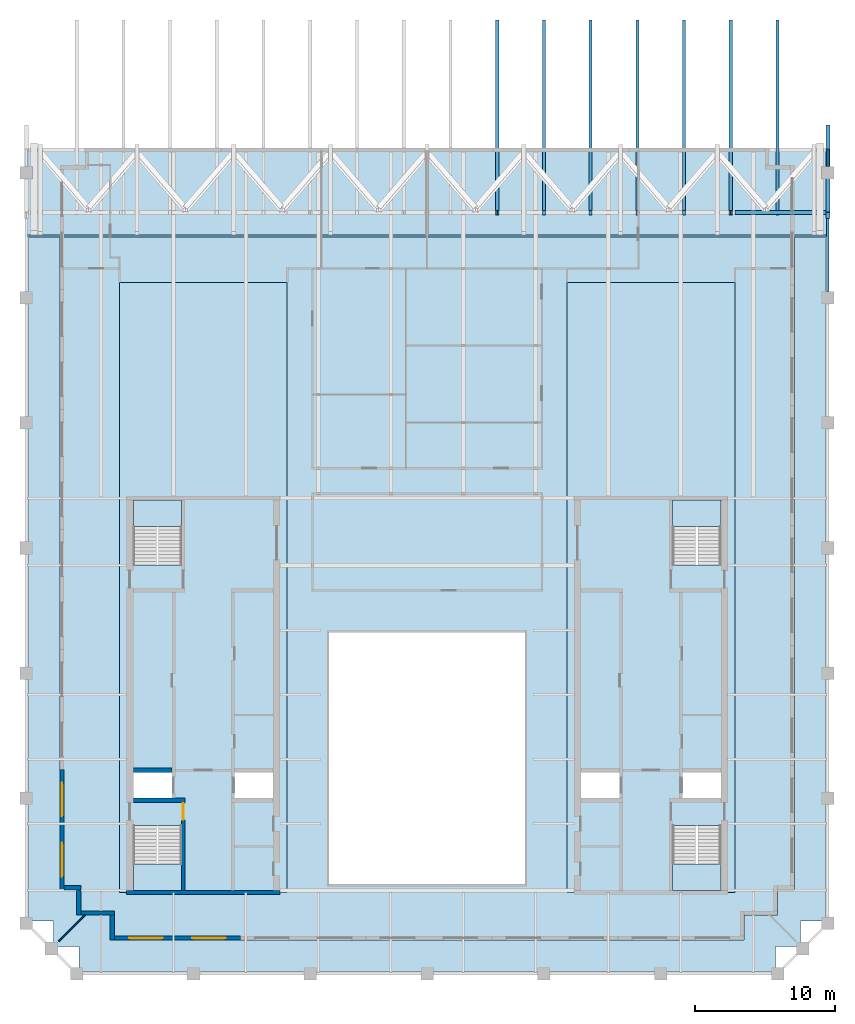
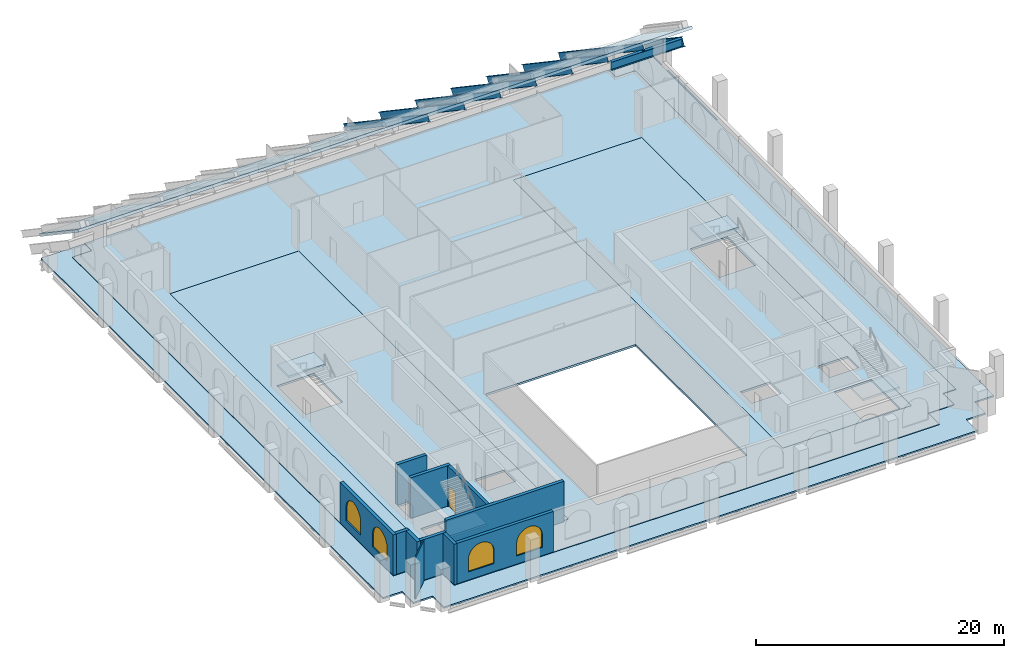
# One storey, part 2 of 9: 11 walls, 9 slabs, 7 members, 5 beams, 4 windows, 1 door, 5 openings, 4 elements without a shape of their own.
"""IFC4 building model written with IfcOpenShell, lengths in metres."""

from ifc_helpers import new_model, si_unit, direction, frame, frame_2d, origin, origin_2d, place, context, subcontext, project, spatial, polyline, rectangle, i_section, outline, extrude, material, layer, layer_set, material_profile, profile_set, type_object, element, fill, aggregate, save


model = new_model("IFC4")

# Units and contexts
model_context = context("Model", 3, precision=1e-05, world=origin(), true_north=direction((0.0, 1.0)))
body_context = subcontext(model_context, "Body", "Model", "MODEL_VIEW")
ifc_project = project(units=[si_unit("LENGTHUNIT", "METRE"), si_unit("AREAUNIT", "SQUARE_METRE"), si_unit("VOLUMEUNIT", "CUBIC_METRE"), si_unit("PLANEANGLEUNIT", "RADIAN"), si_unit("MASSUNIT", "GRAM", prefix="KILO")], contexts=[model_context])

# Site, building, storey
site_placement = place(None, origin())
site = spatial("IfcSite", under=ifc_project, at=site_placement, CompositionType="ELEMENT")
building_placement = place(site_placement, origin())
building = spatial("IfcBuilding", under=site, at=building_placement, Name="Ogive Exchange Tower", CompositionType="ELEMENT")
storey_placement = place(building_placement, frame((0.0, 0.0, 373.199951171875)))
storey = spatial("IfcBuildingStorey", under=building, at=storey_placement, Name="C02", CompositionType="ELEMENT", Elevation=373.199951171875)

# Beam
ifc_material_1 = material(Name="Steel ASTM A992 Gr50", Category="steel")
ifc_material_profile_1 = material_profile(ifc_material_1, i_section(OverallWidth=0.2919921875, OverallDepth=0.8359375, WebThickness=0.013916015625, FlangeThickness=0.018798828125, at=origin_2d()), Name="W840x176")
ifc_profile_set_1 = profile_set([ifc_material_profile_1], Name="Steel ASTM A992 Gr50")
beam_type_1 = type_object("IfcBeamType", Name="Crown purlin W840x176", PredefinedType="BEAM", material=ifc_profile_set_1)
beam_1_placement = place(storey_placement, frame((22.0, 46.0, 4.06396484375), z_axis=(1.0, 0.0, 0.0), x_axis=(0.0, 1.0, 0.0)))
element("IfcBeam", 1, at=beam_1_placement, inside=storey, type_object=beam_type_1, Name="Crown purlin", PredefinedType="BEAM", context=body_context, shape_type="SweptSolid", body=[
    extrude(i_section(OverallWidth=0.2919921875, OverallDepth=0.8359375, WebThickness=0.013916015625, FlangeThickness=0.018798828125, at=origin_2d()), origin(), (0.0, 0.0, 1.0), 6.64990234375),
])

# Members
ifc_material_profile_2 = material_profile(ifc_material_1, i_section(OverallWidth=0.22900390625, OverallDepth=0.612060546875, WebThickness=0.011962890625, FlangeThickness=0.01953125, at=origin_2d()), Name="W610x125")
ifc_profile_set_2 = profile_set([ifc_material_profile_2], Name="Steel ASTM A992 Gr50")
member_type = type_object("IfcMemberType", Name="Crown rafter W610x125", PredefinedType="RAFTER", material=ifc_profile_set_2)
for number, where, z_axis, x_axis, name in (
    (2, (5.010009765625, 46.0, 4.850830078125), (0.0, 0.829045654715, -0.559180920989), (-1.0, 0.0, 0.0), "Crown rafter"),
    (3, (8.35009765625, 46.0, 4.850830078125), (0.0, 0.829045654715, -0.559180920989), (-1.0, 0.0, 0.0), "Crown rafter"),
    (4, (11.68994140625, 46.0, 4.850830078125), (0.0, 0.829045654715, -0.559180920989), (-1.0, 0.0, 0.0), "Crown rafter"),
    (5, (15.030029296875, 46.0, 4.850830078125), (0.0, 0.829045654715, -0.559180920989), (-1.0, 0.0, 0.0), "Crown rafter"),
    (6, (18.3701171875, 46.0, 4.850830078125), (0.0, 0.829045654715, -0.559180920989), (-1.0, 0.0, 0.0), "Crown rafter"),
    (7, (21.7099609375, 46.0, 4.850830078125), (0.0, 0.829045654715, -0.559180920989), (-1.0, 0.0, 0.0), "Crown rafter"),
    (8, (25.050048828125, 46.0, 4.850830078125), (0.0, 0.829045654715, -0.559180920989), (-1.0, 0.0, 0.0), "Crown rafter"),
):
    element("IfcMember", number, at=place(storey_placement, frame(where, z_axis=z_axis, x_axis=x_axis)), inside=storey, type_object=member_type, Name=name, PredefinedType="RAFTER", context=body_context, shape_type="SweptSolid", body=[
        extrude(i_section(OverallWidth=0.22900390625, OverallDepth=0.612060546875, WebThickness=0.011962890625, FlangeThickness=0.01953125, at=origin_2d()), origin(), (0.0, 0.0, 1.0), 16.404541015625),
    ])

# Beams
ifc_material_profile_3 = material_profile(ifc_material_1, i_section(OverallWidth=0.2919921875, OverallDepth=0.8359375, WebThickness=0.013916015625, FlangeThickness=0.018798828125, at=origin_2d()), Name="W840x176")
ifc_profile_set_3 = profile_set([ifc_material_profile_3], Name="Steel ASTM A992 Gr50")
beam_type_2 = type_object("IfcBeamType", Name="Crown raking ring beam W840x176", PredefinedType="BEAM", material=ifc_profile_set_3)
beam_2_placement = place(storey_placement, frame((28.64990234375, 45.798583984375, 4.199951171875), z_axis=(0.0, 0.829045018091, -0.559181864852), x_axis=(-1.0, 0.0, 0.0)))
element("IfcBeam", 9, at=beam_2_placement, inside=storey, type_object=beam_type_2, Name="Crown ring beam 14", PredefinedType="BEAM", context=body_context, shape_type="SweptSolid", body=[
    extrude(i_section(OverallWidth=0.2919921875, OverallDepth=0.8359375, WebThickness=0.013916015625, FlangeThickness=0.018798828125, at=origin_2d()), origin(), (0.0, 0.0, 1.0), 3.689208984375),
])
beam_3_placement = place(storey_placement, frame((28.64990234375, 48.857177734375, 2.136962890625), z_axis=(0.0, 0.829040446051, -0.559188643314), x_axis=(-1.0, 0.0, 0.0)))
element("IfcBeam", 10, at=beam_3_placement, inside=storey, type_object=beam_type_2, Name="Crown ring beam 15", PredefinedType="BEAM", context=body_context, shape_type="SweptSolid", body=[
    extrude(i_section(OverallWidth=0.2919921875, OverallDepth=0.8359375, WebThickness=0.013916015625, FlangeThickness=0.018798828125, at=origin_2d()), origin(), (0.0, 0.0, 1.0), 3.821533203125),
])
ifc_material_profile_4 = material_profile(ifc_material_1, i_section(OverallWidth=0.1650390625, OverallDepth=0.31005859375, WebThickness=0.005859375, FlangeThickness=0.009765625, at=origin_2d()), Name="W310x38.7")
ifc_profile_set_4 = profile_set([ifc_material_profile_4], Name="Steel ASTM A992 Gr50")
beam_type_3 = type_object("IfcBeamType", Name="Girder W310x38.7", PredefinedType="BEAM", material=ifc_profile_set_4)
beam_4_placement = place(storey_placement, frame((28.64990234375, 49.30712890625, -0.35498046875), z_axis=(0.0, 1.0, 0.0), x_axis=(-1.0, 0.0, 0.0)))
element("IfcBeam", 11, at=beam_4_placement, inside=storey, type_object=beam_type_3, Name="Girder", PredefinedType="BEAM", context=body_context, shape_type="SweptSolid", body=[
    extrude(i_section(OverallWidth=0.1650390625, OverallDepth=0.31005859375, WebThickness=0.005859375, FlangeThickness=0.009765625, at=origin_2d()), origin(), (0.0, 0.0, 1.0), 1.225830078125),
])
ifc_material_profile_5 = material_profile(ifc_material_1, i_section(OverallWidth=0.19091796875, OverallDepth=0.45703125, WebThickness=0.009033203125, FlangeThickness=0.014404296875, at=origin_2d()), Name="W460x74")
ifc_profile_set_5 = profile_set([ifc_material_profile_5], Name="Steel ASTM A992 Gr50")
beam_type_4 = type_object("IfcBeamType", Name="Girder W460x74", PredefinedType="BEAM", material=ifc_profile_set_5)
beam_5_placement = place(storey_placement, frame((28.64990234375, 40.3642578125, -0.428466796875), z_axis=(0.0, 1.0, 0.0), x_axis=(-1.0, 0.0, 0.0)))
element("IfcBeam", 12, at=beam_5_placement, inside=storey, type_object=beam_type_4, Name="Girder", PredefinedType="BEAM", context=body_context, shape_type="SweptSolid", body=[
    extrude(i_section(OverallWidth=0.19091796875, OverallDepth=0.45703125, WebThickness=0.009033203125, FlangeThickness=0.014404296875, at=origin_2d()), origin(), (0.0, 0.0, 1.0), 8.042724609375),
])

# Slabs
ifc_material_2 = material(Name="Concrete C50/60", Category="concrete")
ifc_layer_1 = layer(ifc_material_2, 0.199951171875)
ifc_layer_set_1 = layer_set([ifc_layer_1], Name="Composite floor slab 200")
slab_type_1 = type_object("IfcSlabType", Name="Composite floor slab 200", PredefinedType="FLOOR", material=ifc_layer_set_1)
slab_1_placement = place(storey_placement, frame((0.0, 0.0, -0.199951171875)))
element("IfcSlab", 13, at=slab_1_placement, inside=storey, type_object=slab_type_1, Name="Composite floor slab", PredefinedType="FLOOR", context=body_context, shape_type="SweptSolid", body=[
    extrude(outline(polyline([(-24.449951171875, -2.39990234375), (-24.449951171875, -2.39990234375), (-26.25, -2.39990234375), (-26.25, 49.39990234375), (-24.449951171875, 49.39990234375), (-24.449951171875, 50.6279296875), (24.449951171875, 50.6279296875), (24.449951171875, 49.39990234375), (26.25, 49.39990234375), (26.25, -2.39990234375), (24.449951171875, -2.39990234375), (24.449951171875, -2.39990234375), (25.050048828125, -2.39990234375), (25.050048828125, -4.199951171875), (24.449951171875, -4.199951171875), (24.449951171875, -4.199951171875), (22.64990234375, -4.199951171875), (22.64990234375, -6.0), (-22.64990234375, -6.0), (-22.64990234375, -4.199951171875), (-24.449951171875, -4.199951171875), (-24.449951171875, -4.199951171875), (-25.050048828125, -4.199951171875), (-25.050048828125, -2.39990234375), (-24.449951171875, -2.39990234375)]), holes=[polyline([(7.0, -2.0), (7.0, 16.0), (-7.0, 16.0), (-7.0, -2.0), (7.0, -2.0)]), polyline([(-22.0, -2.60009765625), (-10.0, -2.60009765625), (-10.0, 41.0), (-22.0, 41.0), (-22.0, -2.60009765625)]), polyline([(10.0, -2.60009765625), (22.0, -2.60009765625), (22.0, 41.0), (10.0, 41.0), (10.0, -2.60009765625)])]), origin(), (0.0, 0.0, 1.0), 0.199951171875),
])
ifc_material_3 = material(Name="Concrete C70/85", Category="concrete")
ifc_layer_2 = layer(ifc_material_3, 0.199951171875)
ifc_layer_set_2 = layer_set([ifc_layer_2], Name="Core floor slab 200")
slab_type_2 = type_object("IfcSlabType", Name="Core floor slab 200", PredefinedType="FLOOR", material=ifc_layer_set_2)
slab_2_placement = place(storey_placement, frame((0.0, 0.0, -0.199951171875)))
element("IfcSlab", 14, at=slab_2_placement, inside=storey, type_object=slab_type_2, Name="Core floor slab", PredefinedType="FLOOR", context=body_context, shape_type="SweptSolid", body=[
    extrude(outline(polyline([(-22.0, 41.0), (-10.0, 41.0), (-10.0, -2.60009765625), (-22.0, -2.60009765625), (-22.0, 41.0)]), holes=[polyline([(-17.550048828125, 2.196044921875), (-21.0, 2.196044921875), (-21.0, -2.449951171875), (-17.550048828125, -2.449951171875), (-17.550048828125, 2.196044921875)]), polyline([(-21.0, 5.992919921875), (-21.0, 4.14990234375), (-18.25, 4.14990234375), (-18.25, 5.992919921875), (-21.0, 5.992919921875)]), polyline([(-13.75, 5.992919921875), (-13.75, 4.14990234375), (-11.0, 4.14990234375), (-11.0, 5.992919921875), (-13.75, 5.992919921875)]), polyline([(-21.0, 20.803955078125), (-17.550048828125, 20.803955078125), (-17.550048828125, 25.449951171875), (-21.0, 25.449951171875), (-21.0, 20.803955078125)])]), origin(), (0.0, 0.0, 1.0), 0.199951171875),
])
slab_3_placement = place(storey_placement, frame((0.0, 0.0, -0.199951171875)))
element("IfcSlab", 15, at=slab_3_placement, inside=storey, type_object=slab_type_2, Name="Core floor slab", PredefinedType="FLOOR", context=body_context, shape_type="SweptSolid", body=[
    extrude(outline(polyline([(10.0, 41.0), (22.0, 41.0), (22.0, -2.60009765625), (10.0, -2.60009765625), (10.0, 41.0)]), holes=[polyline([(21.0, 2.196044921875), (17.550048828125, 2.196044921875), (17.550048828125, -2.449951171875), (21.0, -2.449951171875), (21.0, 2.196044921875)]), polyline([(11.0, 5.992919921875), (11.0, 4.14990234375), (13.75, 4.14990234375), (13.75, 5.992919921875), (11.0, 5.992919921875)]), polyline([(18.25, 5.992919921875), (18.25, 4.14990234375), (21.0, 4.14990234375), (21.0, 5.992919921875), (18.25, 5.992919921875)]), polyline([(17.550048828125, 20.803955078125), (21.0, 20.803955078125), (21.0, 25.449951171875), (17.550048828125, 25.449951171875), (17.550048828125, 20.803955078125)])]), origin(), (0.0, 0.0, 1.0), 0.199951171875),
])
ifc_material_4 = material(Name="Precast concrete C40/50", Category="concrete")
ifc_layer_3 = layer(ifc_material_4, 0.25)
ifc_layer_set_3 = layer_set([ifc_layer_3], Name="Crown roof plane 250")
slab_type_3 = type_object("IfcSlabType", Name="Crown roof plane 250", PredefinedType="ROOF", material=ifc_layer_set_3)
slab_4_placement = place(storey_placement, frame((-28.64990234375, 44.401123046875, 6.60009765625), z_axis=(0.0, 0.559185313762, 0.829042691827), x_axis=(0.0, 0.829042691827, -0.559185313762)))
element("IfcSlab", 16, at=slab_4_placement, inside=storey, type_object=slab_type_3, Name="Crown roof plane", PredefinedType="ROOF", context=body_context, shape_type="SweptSolid", body=[
    extrude(outline(polyline([(0.0, 0.0), (7.5108395526642555, 0.0), (7.5108395526642555, -57.2998046875), (0.0, -57.2998046875), (0.0, 0.0)])), origin(), (0.0, 0.0, -1.0), 0.25),
])
ifc_layer_4 = layer(ifc_material_2, 0.14990234375)
ifc_layer_set_4 = layer_set([ifc_layer_4], Name="Loggia deck 150")
slab_type_4 = type_object("IfcSlabType", Name="Loggia deck 150", PredefinedType="FLOOR", material=ifc_layer_set_4)
slab_5_placement = place(storey_placement, frame((0.0, 0.0, -0.199951171875)))
element("IfcSlab", 17, at=slab_5_placement, inside=storey, type_object=slab_type_4, Name="Loggia deck", PredefinedType="FLOOR", context=body_context, shape_type="SweptSolid", body=[
    extrude(outline(polyline([(-26.695068359375, -4.64501953125), (-28.4951171875, -4.64501953125), (-28.4951171875, 50.6279296875), (-24.449951171875, 50.6279296875), (-24.449951171875, 49.39990234375), (-26.25, 49.39990234375), (-26.25, -2.39990234375), (-24.449951171875, -2.39990234375), (-24.449951171875, -2.39990234375), (-25.050048828125, -2.39990234375), (-25.050048828125, -4.199951171875), (-24.449951171875, -4.199951171875), (-24.449951171875, -4.199951171875), (-22.64990234375, -4.199951171875), (-22.64990234375, -6.0), (22.64990234375, -6.0), (22.64990234375, -4.199951171875), (24.449951171875, -4.199951171875), (24.449951171875, -4.199951171875), (25.050048828125, -4.199951171875), (25.050048828125, -2.39990234375), (24.449951171875, -2.39990234375), (24.449951171875, -2.39990234375), (26.25, -2.39990234375), (26.25, 49.39990234375), (24.449951171875, 49.39990234375), (24.449951171875, 50.6279296875), (28.4951171875, 50.6279296875), (28.4951171875, -4.64501953125), (26.695068359375, -4.64501953125), (26.695068359375, -6.445068359375), (24.89501953125, -6.445068359375), (24.89501953125, -8.2451171875), (-24.89501953125, -8.2451171875), (-24.89501953125, -6.445068359375), (-26.695068359375, -6.445068359375), (-26.695068359375, -4.64501953125)])), origin(), (0.0, 0.0, 1.0), 0.14990234375),
])

# Stair, slab
ifc_material_5 = material(Name="Concrete C40/50", Category="concrete")
stair_type = type_object("IfcStairType", Name="Exit stair 1650 wide", PredefinedType="HALF_TURN_STAIR", material=ifc_material_5)
stair_1_placement = place(storey_placement, origin())
stair_1 = element("IfcStair", 18, at=stair_1_placement, inside=storey, type_object=stair_type, Name="C02 exit stair ST1", PredefinedType="HALF_TURN_STAIR")
ifc_layer_5 = layer(ifc_material_5, 0.199951171875)
ifc_layer_set_5 = layer_set([ifc_layer_5], Name="Stair landing 200 slab")
slab_type_5 = type_object("IfcSlabType", Name="Stair landing 200 slab", PredefinedType="LANDING", material=ifc_layer_set_5)
slab_6_placement = place(storey_placement, frame((0.0, 0.0, 1.900146484375)))
slab_6 = element("IfcSlab", 19, at=slab_6_placement, type_object=slab_type_5, Name="ST1 landing 1", PredefinedType="LANDING", context=body_context, shape_type="SweptSolid", body=[
    extrude(outline(polyline([(-21.0, -0.550048828125), (-21.0, -2.449951171875), (-17.550048828125, -2.449951171875), (-17.550048828125, -0.550048828125), (-21.0, -0.550048828125)])), origin(), (0.0, 0.0, 1.0), 0.199951171875),
])
aggregate(stair_1, [slab_6])

stair_2_placement = place(storey_placement, origin())
stair_2 = element("IfcStair", 20, at=stair_2_placement, inside=storey, type_object=stair_type, Name="C02 exit stair ST2", PredefinedType="HALF_TURN_STAIR")
slab_7_placement = place(storey_placement, frame((0.0, 0.0, 1.900146484375)))
slab_7 = element("IfcSlab", 21, at=slab_7_placement, type_object=slab_type_5, Name="ST2 landing 1", PredefinedType="LANDING", context=body_context, shape_type="SweptSolid", body=[
    extrude(outline(polyline([(-17.550048828125, 23.550048828125), (-17.550048828125, 25.449951171875), (-21.0, 25.449951171875), (-21.0, 23.550048828125), (-17.550048828125, 23.550048828125)])), origin(), (0.0, 0.0, 1.0), 0.199951171875),
])
aggregate(stair_2, [slab_7])

stair_3_placement = place(storey_placement, origin())
stair_3 = element("IfcStair", 22, at=stair_3_placement, inside=storey, type_object=stair_type, Name="C02 exit stair ST3", PredefinedType="HALF_TURN_STAIR")
slab_8_placement = place(storey_placement, frame((0.0, 0.0, 1.900146484375)))
slab_8 = element("IfcSlab", 23, at=slab_8_placement, type_object=slab_type_5, Name="ST3 landing 1", PredefinedType="LANDING", context=body_context, shape_type="SweptSolid", body=[
    extrude(outline(polyline([(17.550048828125, -0.550048828125), (17.550048828125, -2.449951171875), (21.0, -2.449951171875), (21.0, -0.550048828125), (17.550048828125, -0.550048828125)])), origin(), (0.0, 0.0, 1.0), 0.199951171875),
])
aggregate(stair_3, [slab_8])

stair_4_placement = place(storey_placement, origin())
stair_4 = element("IfcStair", 24, at=stair_4_placement, inside=storey, type_object=stair_type, Name="C02 exit stair ST4", PredefinedType="HALF_TURN_STAIR")
slab_9_placement = place(storey_placement, frame((0.0, 0.0, 1.900146484375)))
slab_9 = element("IfcSlab", 25, at=slab_9_placement, type_object=slab_type_5, Name="ST4 landing 1", PredefinedType="LANDING", context=body_context, shape_type="SweptSolid", body=[
    extrude(outline(polyline([(21.0, 23.550048828125), (21.0, 25.449951171875), (17.550048828125, 25.449951171875), (17.550048828125, 23.550048828125), (21.0, 23.550048828125)])), origin(), (0.0, 0.0, 1.0), 0.199951171875),
])
aggregate(stair_4, [slab_9])

# Wall
ifc_material_6 = material(Name="Laminated safety glass in steel frame", Category="steel")
ifc_layer_6 = layer(ifc_material_6, 0.10009765625)
ifc_layer_set_6 = layer_set([ifc_layer_6], Name="Loggia end screen 100")
wall_type_1 = type_object("IfcWallType", Name="Loggia end screen 100", PredefinedType="STANDARD", material=ifc_layer_set_6)
wall_1_placement = place(storey_placement, frame((-24.449951171875, -4.199951171875, -0.050048828125), z_axis=(0.0, 0.0, 1.0), x_axis=(-0.707106781187, -0.707106781187, 0.0)))
element("IfcWall", 26, at=wall_1_placement, inside=storey, type_object=wall_type_1, Name="Loggia end screen C4", PredefinedType="STANDARD", context=body_context, shape_type="SweptSolid", body=[
    extrude(rectangle(XDim=2.667236328125, YDim=0.10009765625, at=frame_2d((1.33349609375, 0.0))), origin(), (0.0, 0.0, 1.0), 4.050048828125),
])

# Wall, opening, door
ifc_layer_7 = layer(ifc_material_3, 0.25)
ifc_layer_set_7 = layer_set([ifc_layer_7], Name="RC core wall 250 C70/85")
wall_type_2 = type_object("IfcWallType", Name="RC core wall 250 C70/85", PredefinedType="SHEAR", material=ifc_layer_set_7)
wall_2_placement = place(storey_placement, frame((-17.425048828125, -2.449951171875, 0.0), z_axis=(0.0, 0.0, 1.0), x_axis=(0.0, 1.0, 0.0)))
wall_2 = element("IfcWall", 27, at=wall_2_placement, inside=storey, type_object=wall_type_2, Name="W stair S front wall", PredefinedType="SHEAR", context=body_context, shape_type="SweptSolid", body=[
    extrude(rectangle(XDim=6.300048828125, YDim=0.25, at=frame_2d((3.14990234375, 0.0))), origin(), (0.0, 0.0, 1.0), 4.0),
])
opening_1_placement = place(wall_2_placement, frame((5.050048828125, 0.0, 0.0)))
opening_1 = element("IfcOpeningElement", 28, at=opening_1_placement, cuts=wall_2, Name="Opening C02-C08", PredefinedType="OPENING", context=body_context, shape_type="SweptSolid", body=[
    extrude(rectangle(XDim=1.199951171875, YDim=2.10009765625, at=frame_2d((0.60009765625, 1.050048828125))), frame((0.0, 0.135009765625, 0.0), z_axis=(0.0, -1.0, 0.0), x_axis=(1.0, 0.0, 0.0)), (0.0, 0.0, 1.0), 0.27001953125),
])
ifc_material_7 = material(Name="Steel fire door", Category="steel")
door_type = type_object("IfcDoorType", Name="Stair door FD90 1200 x 2100", OperationType="NOTDEFINED", PredefinedType="DOOR", material=ifc_material_7)
door_placement = place(opening_1_placement, origin())
door = element("IfcDoor", 29, at=door_placement, inside=storey, type_object=door_type, Name="Stair door", ObjectType="CD5", OperationType="SINGLE_SWING_LEFT", OverallHeight=2.10009765625, OverallWidth=1.199951171875, PredefinedType="DOOR", context=body_context, shape_type="SweptSolid", body=[
    extrude(rectangle(XDim=1.199951171875, YDim=2.10009765625, at=frame_2d((0.60009765625, 1.050048828125))), frame((0.0, 0.02490234375, 0.0), z_axis=(0.0, -1.0, 0.0), x_axis=(1.0, 0.0, 0.0)), (0.0, 0.0, 1.0), 0.050048828125),
])
fill(opening_1, door)

# Walls
ifc_layer_8 = layer(ifc_material_3, 0.300048828125)
ifc_layer_set_8 = layer_set([ifc_layer_8], Name="RC core wall 300 C70/85")
wall_type_3 = type_object("IfcWallType", Name="RC core wall 300 C70/85", PredefinedType="SHEAR", material=ifc_layer_set_8)
wall_3_placement = place(storey_placement, frame((-21.5, -2.60009765625, 0.0), z_axis=(0.0, 0.0, 1.0), x_axis=(1.0, 0.0, 0.0)))
element("IfcWall", 30, at=wall_3_placement, inside=storey, type_object=wall_type_3, Name="W south end wall", PredefinedType="SHEAR", context=body_context, shape_type="SweptSolid", body=[
    extrude(rectangle(XDim=11.0, YDim=0.300048828125, at=frame_2d((5.5, 0.0))), origin(), (0.0, 0.0, 1.0), 4.0),
])
wall_4_placement = place(storey_placement, frame((-21.0, 4.0, 0.0), z_axis=(0.0, 0.0, 1.0), x_axis=(1.0, 0.0, 0.0)))
element("IfcWall", 31, at=wall_4_placement, inside=storey, type_object=wall_type_3, Name="W stair S north wall", PredefinedType="SHEAR", context=body_context, shape_type="SweptSolid", body=[
    extrude(rectangle(XDim=3.699951171875, YDim=0.300048828125, at=frame_2d((1.85009765625, 0.0))), origin(), (0.0, 0.0, 1.0), 4.0),
])
wall_5_placement = place(storey_placement, frame((-21.0, 6.142822265625, 0.0), z_axis=(0.0, 0.0, 1.0), x_axis=(1.0, 0.0, 0.0)))
element("IfcWall", 32, at=wall_5_placement, inside=storey, type_object=wall_type_3, Name="W row A divider 1", PredefinedType="SHEAR", context=body_context, shape_type="SweptSolid", body=[
    extrude(rectangle(XDim=2.75, YDim=0.300048828125, at=frame_2d((1.375, 0.0))), origin(), (0.0, 0.0, 1.0), 4.0),
])
ifc_layer_9 = layer(ifc_material_4, 0.300048828125)
ifc_layer_set_9 = layer_set([ifc_layer_9], Name="Zinc-clad crown wall 300")
wall_type_4 = type_object("IfcWallType", Name="Zinc-clad crown wall 300", PredefinedType="STANDARD", material=ifc_layer_set_9)
wall_6_placement = place(storey_placement, frame((-24.89990234375, -2.39990234375, 0.0), z_axis=(0.0, 0.0, 1.0), x_axis=(0.0, -1.0, 0.0)))
element("IfcWall", 33, at=wall_6_placement, inside=storey, type_object=wall_type_4, Name="Crown wall 1", PredefinedType="STANDARD", context=body_context, shape_type="SweptSolid", body=[
    extrude(rectangle(XDim=1.800048828125, YDim=0.300048828125, at=frame_2d((0.89990234375, 0.0))), origin(), (0.0, 0.0, 1.0), 4.0),
])
wall_7_placement = place(storey_placement, frame((-24.75, -4.050048828125, 0.0), z_axis=(0.0, 0.0, 1.0), x_axis=(1.0, 0.0, 0.0)))
element("IfcWall", 34, at=wall_7_placement, inside=storey, type_object=wall_type_4, Name="Crown wall 2", PredefinedType="STANDARD", context=body_context, shape_type="SweptSolid", body=[
    extrude(rectangle(XDim=2.39990234375, YDim=0.300048828125, at=frame_2d((1.199951171875, 0.0))), origin(), (0.0, 0.0, 1.0), 4.0),
])
wall_8_placement = place(storey_placement, frame((-22.5, -4.199951171875, 0.0), z_axis=(0.0, 0.0, 1.0), x_axis=(0.0, -1.0, 0.0)))
element("IfcWall", 35, at=wall_8_placement, inside=storey, type_object=wall_type_4, Name="Crown wall 3", PredefinedType="STANDARD", context=body_context, shape_type="SweptSolid", body=[
    extrude(rectangle(XDim=1.800048828125, YDim=0.300048828125, at=frame_2d((0.89990234375, 0.0))), origin(), (0.0, 0.0, 1.0), 4.0),
])

# Wall, openings, windows
wall_9_placement = place(storey_placement, frame((-22.35009765625, -5.85009765625, 0.0), z_axis=(0.0, 0.0, 1.0), x_axis=(1.0, 0.0, 0.0)))
wall_9 = element("IfcWall", 36, at=wall_9_placement, inside=storey, type_object=wall_type_4, Name="Crown wall 4", PredefinedType="STANDARD", context=body_context, shape_type="SweptSolid", body=[
    extrude(rectangle(XDim=9.0, YDim=0.300048828125, at=frame_2d((4.5, 0.0))), origin(), (0.0, 0.0, 1.0), 4.0),
])
opening_2_placement = place(wall_9_placement, frame((1.050048828125, 0.0, 0.800048828125)))
opening_2 = element("IfcOpeningElement", 37, at=opening_2_placement, cuts=wall_9, Name="Opening WC25", PredefinedType="OPENING", context=body_context, shape_type="SweptSolid", body=[
    extrude(outline(polyline([(0.0, 0.0), (2.39990234375, 0.0), (2.39990234375, 1.25), (2.377197265625, 1.48779296875), (2.3095703125, 1.717041015625), (2.19970703125, 1.928955078125), (2.05126953125, 2.116455078125), (1.8701171875, 2.272216796875), (1.662841796875, 2.390625), (1.4365234375, 2.467529296875), (1.199951171875, 2.5), (0.96337890625, 2.467529296875), (0.737060546875, 2.390625), (0.52978515625, 2.272216796875), (0.3486328125, 2.116455078125), (0.2001953125, 1.928955078125), (0.09033203125, 1.717041015625), (0.022705078125, 1.48779296875), (0.0, 1.25), (0.0, 0.0)])), frame((0.0, 0.159912109375, 0.0), z_axis=(0.0, -1.0, 0.0), x_axis=(1.0, 0.0, 0.0)), (0.0, 0.0, 1.0), 0.320068359375),
])
opening_3_placement = place(wall_9_placement, frame((5.550048828125, 0.0, 0.800048828125)))
opening_3 = element("IfcOpeningElement", 38, at=opening_3_placement, cuts=wall_9, Name="Opening WC25", PredefinedType="OPENING", context=body_context, shape_type="SweptSolid", body=[
    extrude(outline(polyline([(0.0, 0.0), (2.39990234375, 0.0), (2.39990234375, 1.25), (2.377197265625, 1.48779296875), (2.3095703125, 1.717041015625), (2.19970703125, 1.928955078125), (2.05126953125, 2.116455078125), (1.8701171875, 2.272216796875), (1.662841796875, 2.390625), (1.4365234375, 2.467529296875), (1.199951171875, 2.5), (0.96337890625, 2.467529296875), (0.737060546875, 2.390625), (0.52978515625, 2.272216796875), (0.3486328125, 2.116455078125), (0.2001953125, 1.928955078125), (0.09033203125, 1.717041015625), (0.022705078125, 1.48779296875), (0.0, 1.25), (0.0, 0.0)])), frame((0.0, 0.159912109375, 0.0), z_axis=(0.0, -1.0, 0.0), x_axis=(1.0, 0.0, 0.0)), (0.0, 0.0, 1.0), 0.320068359375),
])
ifc_material_8 = material(Name="Clear glass in bronze frame", Category="glass")
window_type = type_object("IfcWindowType", Name="Crown lancet window 2400 x 2500", PartitioningType="DOUBLE_PANEL_VERTICAL", PredefinedType="WINDOW", material=ifc_material_8)
window_1_placement = place(opening_2_placement, origin())
window_1 = element("IfcWindow", 39, at=window_1_placement, inside=storey, type_object=window_type, Name="Crown lancet 4.1", OverallHeight=2.5, OverallWidth=2.39990234375, PartitioningType="DOUBLE_PANEL_VERTICAL", PredefinedType="WINDOW", context=body_context, shape_type="SweptSolid", body=[
    extrude(outline(polyline([(0.0, 0.0), (2.39990234375, 0.0), (2.39990234375, 1.25), (2.377197265625, 1.48779296875), (2.3095703125, 1.717041015625), (2.19970703125, 1.928955078125), (2.05126953125, 2.116455078125), (1.8701171875, 2.272216796875), (1.662841796875, 2.390625), (1.4365234375, 2.467529296875), (1.199951171875, 2.5), (0.96337890625, 2.467529296875), (0.737060546875, 2.390625), (0.52978515625, 2.272216796875), (0.3486328125, 2.116455078125), (0.2001953125, 1.928955078125), (0.09033203125, 1.717041015625), (0.022705078125, 1.48779296875), (0.0, 1.25), (0.0, 0.0)])), frame((0.0, 0.030029296875, 0.0), z_axis=(0.0, -1.0, 0.0), x_axis=(1.0, 0.0, 0.0)), (0.0, 0.0, 1.0), 0.06005859375),
])
fill(opening_2, window_1)
window_2_placement = place(opening_3_placement, origin())
window_2 = element("IfcWindow", 40, at=window_2_placement, inside=storey, type_object=window_type, Name="Crown lancet 4.2", OverallHeight=2.5, OverallWidth=2.39990234375, PartitioningType="DOUBLE_PANEL_VERTICAL", PredefinedType="WINDOW", context=body_context, shape_type="SweptSolid", body=[
    extrude(outline(polyline([(0.0, 0.0), (2.39990234375, 0.0), (2.39990234375, 1.25), (2.377197265625, 1.48779296875), (2.3095703125, 1.717041015625), (2.19970703125, 1.928955078125), (2.05126953125, 2.116455078125), (1.8701171875, 2.272216796875), (1.662841796875, 2.390625), (1.4365234375, 2.467529296875), (1.199951171875, 2.5), (0.96337890625, 2.467529296875), (0.737060546875, 2.390625), (0.52978515625, 2.272216796875), (0.3486328125, 2.116455078125), (0.2001953125, 1.928955078125), (0.09033203125, 1.717041015625), (0.022705078125, 1.48779296875), (0.0, 1.25), (0.0, 0.0)])), frame((0.0, 0.030029296875, 0.0), z_axis=(0.0, -1.0, 0.0), x_axis=(1.0, 0.0, 0.0)), (0.0, 0.0, 1.0), 0.06005859375),
])
fill(opening_3, window_2)

wall_10_placement = place(storey_placement, frame((-26.10009765625, 6.183349609375, 0.0), z_axis=(0.0, 0.0, 1.0), x_axis=(0.0, -1.0, 0.0)))
wall_10 = element("IfcWall", 41, at=wall_10_placement, inside=storey, type_object=wall_type_4, Name="Crown wall 33", PredefinedType="STANDARD", context=body_context, shape_type="SweptSolid", body=[
    extrude(rectangle(XDim=8.583251953125, YDim=0.300048828125, at=frame_2d((4.29150390625, 0.0))), origin(), (0.0, 0.0, 1.0), 4.0),
])
opening_4_placement = place(wall_10_placement, frame((0.94580078125, 0.0, 0.800048828125)))
opening_4 = element("IfcOpeningElement", 42, at=opening_4_placement, cuts=wall_10, Name="Opening WC25", PredefinedType="OPENING", context=body_context, shape_type="SweptSolid", body=[
    extrude(outline(polyline([(0.0, 0.0), (2.39990234375, 0.0), (2.39990234375, 1.25), (2.377197265625, 1.48779296875), (2.3095703125, 1.717041015625), (2.19970703125, 1.928955078125), (2.05126953125, 2.116455078125), (1.8701171875, 2.272216796875), (1.662841796875, 2.390625), (1.4365234375, 2.467529296875), (1.199951171875, 2.5), (0.96337890625, 2.467529296875), (0.737060546875, 2.390625), (0.52978515625, 2.272216796875), (0.3486328125, 2.116455078125), (0.2001953125, 1.928955078125), (0.09033203125, 1.717041015625), (0.022705078125, 1.48779296875), (0.0, 1.25), (0.0, 0.0)])), frame((0.0, 0.159912109375, 0.0), z_axis=(0.0, -1.0, 0.0), x_axis=(1.0, 0.0, 0.0)), (0.0, 0.0, 1.0), 0.320068359375),
])
opening_5_placement = place(wall_10_placement, frame((5.237548828125, 0.0, 0.800048828125)))
opening_5 = element("IfcOpeningElement", 43, at=opening_5_placement, cuts=wall_10, Name="Opening WC25", PredefinedType="OPENING", context=body_context, shape_type="SweptSolid", body=[
    extrude(outline(polyline([(0.0, 0.0), (2.39990234375, 0.0), (2.39990234375, 1.25), (2.377197265625, 1.48779296875), (2.3095703125, 1.717041015625), (2.19970703125, 1.928955078125), (2.05126953125, 2.116455078125), (1.8701171875, 2.272216796875), (1.662841796875, 2.390625), (1.4365234375, 2.467529296875), (1.199951171875, 2.5), (0.96337890625, 2.467529296875), (0.737060546875, 2.390625), (0.52978515625, 2.272216796875), (0.3486328125, 2.116455078125), (0.2001953125, 1.928955078125), (0.09033203125, 1.717041015625), (0.022705078125, 1.48779296875), (0.0, 1.25), (0.0, 0.0)])), frame((0.0, 0.159912109375, 0.0), z_axis=(0.0, -1.0, 0.0), x_axis=(1.0, 0.0, 0.0)), (0.0, 0.0, 1.0), 0.320068359375),
])
window_3_placement = place(opening_4_placement, origin())
window_3 = element("IfcWindow", 44, at=window_3_placement, inside=storey, type_object=window_type, Name="Crown lancet 33.1", OverallHeight=2.5, OverallWidth=2.39990234375, PartitioningType="DOUBLE_PANEL_VERTICAL", PredefinedType="WINDOW", context=body_context, shape_type="SweptSolid", body=[
    extrude(outline(polyline([(0.0, 0.0), (2.39990234375, 0.0), (2.39990234375, 1.25), (2.377197265625, 1.48779296875), (2.3095703125, 1.717041015625), (2.19970703125, 1.928955078125), (2.05126953125, 2.116455078125), (1.8701171875, 2.272216796875), (1.662841796875, 2.390625), (1.4365234375, 2.467529296875), (1.199951171875, 2.5), (0.96337890625, 2.467529296875), (0.737060546875, 2.390625), (0.52978515625, 2.272216796875), (0.3486328125, 2.116455078125), (0.2001953125, 1.928955078125), (0.09033203125, 1.717041015625), (0.022705078125, 1.48779296875), (0.0, 1.25), (0.0, 0.0)])), frame((0.0, 0.030029296875, 0.0), z_axis=(0.0, -1.0, 0.0), x_axis=(1.0, 0.0, 0.0)), (0.0, 0.0, 1.0), 0.06005859375),
])
fill(opening_4, window_3)
window_4_placement = place(opening_5_placement, origin())
window_4 = element("IfcWindow", 45, at=window_4_placement, inside=storey, type_object=window_type, Name="Crown lancet 33.2", OverallHeight=2.5, OverallWidth=2.39990234375, PartitioningType="DOUBLE_PANEL_VERTICAL", PredefinedType="WINDOW", context=body_context, shape_type="SweptSolid", body=[
    extrude(outline(polyline([(0.0, 0.0), (2.39990234375, 0.0), (2.39990234375, 1.25), (2.377197265625, 1.48779296875), (2.3095703125, 1.717041015625), (2.19970703125, 1.928955078125), (2.05126953125, 2.116455078125), (1.8701171875, 2.272216796875), (1.662841796875, 2.390625), (1.4365234375, 2.467529296875), (1.199951171875, 2.5), (0.96337890625, 2.467529296875), (0.737060546875, 2.390625), (0.52978515625, 2.272216796875), (0.3486328125, 2.116455078125), (0.2001953125, 1.928955078125), (0.09033203125, 1.717041015625), (0.022705078125, 1.48779296875), (0.0, 1.25), (0.0, 0.0)])), frame((0.0, 0.030029296875, 0.0), z_axis=(0.0, -1.0, 0.0), x_axis=(1.0, 0.0, 0.0)), (0.0, 0.0, 1.0), 0.06005859375),
])
fill(opening_5, window_4)

# Wall
wall_11_placement = place(storey_placement, frame((-25.949951171875, -2.25, 0.0), z_axis=(0.0, 0.0, 1.0), x_axis=(1.0, 0.0, 0.0)))
element("IfcWall", 46, at=wall_11_placement, inside=storey, type_object=wall_type_4, Name="Crown wall 34", PredefinedType="STANDARD", context=body_context, shape_type="SweptSolid", body=[
    extrude(rectangle(XDim=1.199951171875, YDim=0.300048828125, at=frame_2d((0.60009765625, 0.0))), origin(), (0.0, 0.0, 1.0), 4.0),
])

save(model, "model.ifc")
